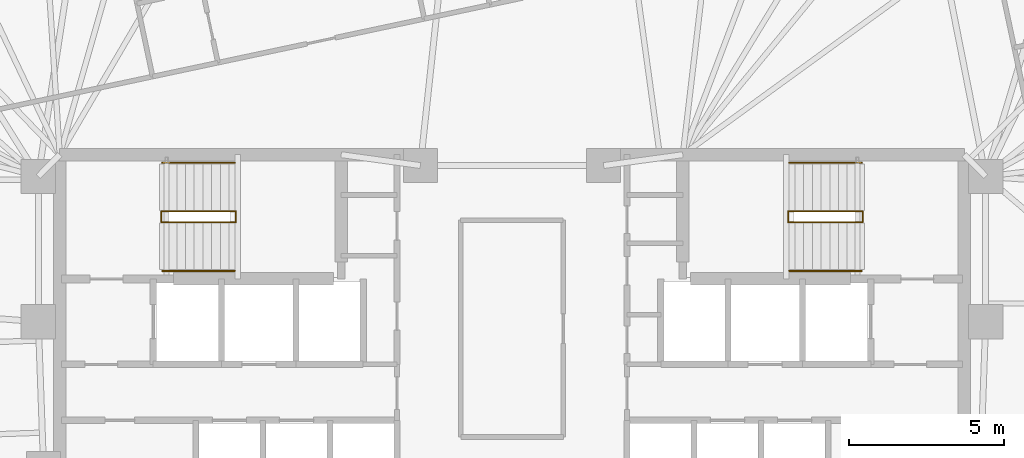
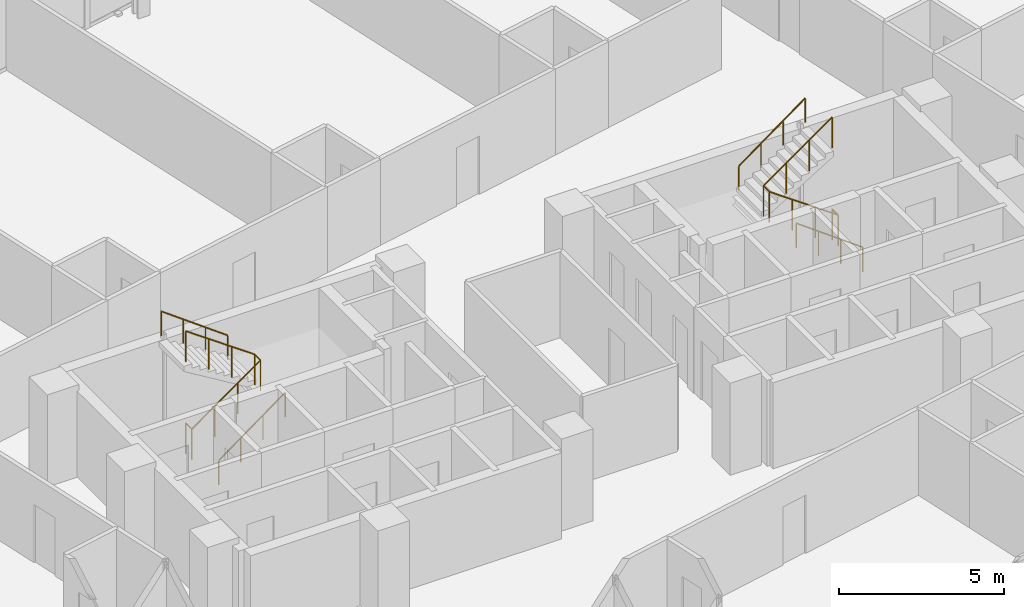
# One storey, part 19 of 19: 6 railings.
"""IFC4 building model written with IfcOpenShell, lengths in metres."""

from ifc_helpers import new_model, si_unit, direction, frame, origin, origin_2d, place, context, subcontext, project, spatial, circle, extrude, material, type_object, element, save


model = new_model("IFC4")

# Units and contexts
model_context = context("Model", 3, precision=1e-05, world=origin(), true_north=direction((0.0, 1.0)))
body_context = subcontext(model_context, "Body", "Model", "MODEL_VIEW")
ifc_project = project(units=[si_unit("LENGTHUNIT", "METRE"), si_unit("AREAUNIT", "SQUARE_METRE"), si_unit("VOLUMEUNIT", "CUBIC_METRE"), si_unit("PLANEANGLEUNIT", "RADIAN"), si_unit("MASSUNIT", "GRAM", prefix="KILO")], contexts=[model_context])

# Site, building, storey
site_placement = place(None, origin())
site = spatial("IfcSite", under=ifc_project, at=site_placement, CompositionType="ELEMENT")
building_placement = place(site_placement, origin())
building = spatial("IfcBuilding", under=site, at=building_placement, Name="Menara Jurai Vektor", CompositionType="ELEMENT")
storey_placement = place(building_placement, frame((0.0, 0.0, 161.60009765625)))
storey = spatial("IfcBuildingStorey", under=building, at=storey_placement, Name="L41", CompositionType="ELEMENT", Elevation=161.60009765625)

# Railings
ifc_material_1 = material(Name="Painted Galvanised Steel Balustrade", Category="steel")
railing_type_1 = type_object("IfcRailingType", Name="RAIL-STAIR-GUARD", PredefinedType="GUARDRAIL", material=ifc_material_1)
railing_1_placement = place(storey_placement, frame((-11.2900390625, 3.780029296875, 0.0)))
element("IfcRailing", 1, at=railing_1_placement, inside=storey, type_object=railing_type_1, Name="ST1 Stair Guardrail 1 L41", PredefinedType="GUARDRAIL", context=body_context, shape_type="SweptSolid", body=[
    extrude(circle(Radius=0.02392578125, at=origin_2d()), frame((0.0, 0.0, 1.1259765625), z_axis=(0.0, -1.0, 0.0), x_axis=(1.0, 0.0, 0.0)), (0.0, 0.0, 1.0), 0.360107421875),
    extrude(circle(Radius=0.02392578125, at=origin_2d()), frame((0.0, -0.360107421875, 1.1259765625), z_axis=(0.816048950856, 0.0, 0.577982793694), x_axis=(0.0, 1.0, 0.0)), (0.0, 0.0, 1.0), 2.941162109375),
    extrude(circle(Radius=0.02392578125, at=origin_2d()), frame((2.400146484375, -0.360107421875, 2.82568359375), z_axis=(0.0, 1.0, 0.0), x_axis=(-1.0, 0.0, 0.0)), (0.0, 0.0, 1.0), 0.360107421875),
    extrude(circle(Radius=0.02392578125, at=origin_2d()), frame((2.400146484375, 0.0, 2.82568359375), z_axis=(-0.816048950856, 0.0, 0.577982793694), x_axis=(0.0, -1.0, 0.0)), (0.0, 0.0, 1.0), 2.941162109375),
    extrude(circle(Radius=0.02099609375, at=origin_2d()), origin(), (0.0, 0.0, 1.0), 1.101806640625),
    extrude(circle(Radius=0.02099609375, at=origin_2d()), frame((0.0, -0.360107421875, 0.0)), (0.0, 0.0, 1.0), 1.101806640625),
    extrude(circle(Radius=0.02099609375, at=origin_2d()), frame((0.800048828125, -0.360107421875, 0.566650390625)), (0.0, 0.0, 1.0), 1.101806640625),
    extrude(circle(Radius=0.02099609375, at=origin_2d()), frame((1.60009765625, -0.360107421875, 1.13330078125)), (0.0, 0.0, 1.0), 1.101806640625),
    extrude(circle(Radius=0.02099609375, at=origin_2d()), frame((2.400146484375, -0.360107421875, 1.699951171875)), (0.0, 0.0, 1.0), 1.101806640625),
    extrude(circle(Radius=0.02099609375, at=origin_2d()), frame((2.400146484375, 0.0, 1.699951171875)), (0.0, 0.0, 1.0), 1.101806640625),
    extrude(circle(Radius=0.02099609375, at=origin_2d()), frame((1.60009765625, 0.0, 2.2666015625)), (0.0, 0.0, 1.0), 1.101806640625),
    extrude(circle(Radius=0.02099609375, at=origin_2d()), frame((0.800048828125, 0.0, 2.833251953125)), (0.0, 0.0, 1.0), 1.101806640625),
    extrude(circle(Radius=0.02099609375, at=origin_2d()), frame((0.0, 0.0, 3.39990234375)), (0.0, 0.0, 1.0), 1.101806640625),
])
railing_2_placement = place(storey_placement, frame((11.2900390625, 3.780029296875, 0.0)))
element("IfcRailing", 2, at=railing_2_placement, inside=storey, type_object=railing_type_1, Name="ST2 Stair Guardrail 1 L41", PredefinedType="GUARDRAIL", context=body_context, shape_type="SweptSolid", body=[
    extrude(circle(Radius=0.02392578125, at=origin_2d()), frame((0.0, 0.0, 1.1259765625), z_axis=(0.0, -1.0, 0.0), x_axis=(1.0, 0.0, 0.0)), (0.0, 0.0, 1.0), 0.360107421875),
    extrude(circle(Radius=0.02392578125, at=origin_2d()), frame((0.0, -0.360107421875, 1.1259765625), z_axis=(-0.816048950856, 0.0, 0.577982793694), x_axis=(0.0, -1.0, 0.0)), (0.0, 0.0, 1.0), 2.941162109375),
    extrude(circle(Radius=0.02392578125, at=origin_2d()), frame((-2.400146484375, -0.360107421875, 2.82568359375), z_axis=(0.0, 1.0, 0.0), x_axis=(-1.0, 0.0, 0.0)), (0.0, 0.0, 1.0), 0.360107421875),
    extrude(circle(Radius=0.02392578125, at=origin_2d()), frame((-2.400146484375, 0.0, 2.82568359375), z_axis=(0.816048950856, 0.0, 0.577982793694), x_axis=(0.0, 1.0, 0.0)), (0.0, 0.0, 1.0), 2.941162109375),
    extrude(circle(Radius=0.02099609375, at=origin_2d()), origin(), (0.0, 0.0, 1.0), 1.101806640625),
    extrude(circle(Radius=0.02099609375, at=origin_2d()), frame((0.0, -0.360107421875, 0.0)), (0.0, 0.0, 1.0), 1.101806640625),
    extrude(circle(Radius=0.02099609375, at=origin_2d()), frame((-0.800048828125, -0.360107421875, 0.566650390625)), (0.0, 0.0, 1.0), 1.101806640625),
    extrude(circle(Radius=0.02099609375, at=origin_2d()), frame((-1.60009765625, -0.360107421875, 1.13330078125)), (0.0, 0.0, 1.0), 1.101806640625),
    extrude(circle(Radius=0.02099609375, at=origin_2d()), frame((-2.400146484375, -0.360107421875, 1.699951171875)), (0.0, 0.0, 1.0), 1.101806640625),
    extrude(circle(Radius=0.02099609375, at=origin_2d()), frame((-2.400146484375, 0.0, 1.699951171875)), (0.0, 0.0, 1.0), 1.101806640625),
    extrude(circle(Radius=0.02099609375, at=origin_2d()), frame((-1.60009765625, 0.0, 2.2666015625)), (0.0, 0.0, 1.0), 1.101806640625),
    extrude(circle(Radius=0.02099609375, at=origin_2d()), frame((-0.800048828125, 0.0, 2.833251953125)), (0.0, 0.0, 1.0), 1.101806640625),
    extrude(circle(Radius=0.02099609375, at=origin_2d()), frame((0.0, 0.0, 3.39990234375)), (0.0, 0.0, 1.0), 1.101806640625),
])
ifc_material_2 = material(Name="Brushed Stainless Steel Handrail", Category="steel")
railing_type_2 = type_object("IfcRailingType", Name="RAIL-STAIR-HAND", PredefinedType="HANDRAIL", material=ifc_material_2)
railing_3_placement = place(storey_placement, frame((-11.25, 1.860107421875, 0.0)))
element("IfcRailing", 3, at=railing_3_placement, inside=storey, type_object=railing_type_2, Name="ST1 Stair Handrail 1 L41", PredefinedType="HANDRAIL", context=body_context, shape_type="SweptSolid", body=[
    extrude(circle(Radius=0.02392578125, at=origin_2d()), frame((0.0, 0.0, 0.89599609375), z_axis=(0.806642406755, 0.0, 0.591039785145), x_axis=(0.0, 1.0, 0.0)), (0.0, 0.0, 1.0), 2.876220703125),
    extrude(circle(Radius=0.02099609375, at=origin_2d()), origin(), (0.0, 0.0, 1.0), 0.871826171875),
    extrude(circle(Radius=0.02099609375, at=origin_2d()), frame((0.7734375, 0.0, 0.566650390625)), (0.0, 0.0, 1.0), 0.871826171875),
    extrude(circle(Radius=0.02099609375, at=origin_2d()), frame((1.546630859375, 0.0, 1.13330078125)), (0.0, 0.0, 1.0), 0.871826171875),
    extrude(circle(Radius=0.02099609375, at=origin_2d()), frame((2.320068359375, 0.0, 1.699951171875)), (0.0, 0.0, 1.0), 0.871826171875),
])
for number, where, name in (
    (4, (-8.929931640625, 5.340087890625, 1.699951171875), "ST1 Stair Handrail 2 L41"),
    (5, (11.25, 1.860107421875, 0.0), "ST2 Stair Handrail 1 L41"),
):
    element("IfcRailing", number, at=place(storey_placement, frame(where)), inside=storey, type_object=railing_type_2, Name=name, PredefinedType="HANDRAIL", context=body_context, shape_type="SweptSolid", body=[
        extrude(circle(Radius=0.02392578125, at=origin_2d()), frame((0.0, 0.0, 0.89599609375), z_axis=(-0.806642406755, 0.0, 0.591039785145), x_axis=(0.0, -1.0, 0.0)), (0.0, 0.0, 1.0), 2.876220703125),
        extrude(circle(Radius=0.02099609375, at=origin_2d()), origin(), (0.0, 0.0, 1.0), 0.871826171875),
        extrude(circle(Radius=0.02099609375, at=origin_2d()), frame((-0.7734375, 0.0, 0.566650390625)), (0.0, 0.0, 1.0), 0.871826171875),
        extrude(circle(Radius=0.02099609375, at=origin_2d()), frame((-1.546630859375, 0.0, 1.13330078125)), (0.0, 0.0, 1.0), 0.871826171875),
        extrude(circle(Radius=0.02099609375, at=origin_2d()), frame((-2.320068359375, 0.0, 1.699951171875)), (0.0, 0.0, 1.0), 0.871826171875),
    ])
railing_4_placement = place(storey_placement, frame((8.929931640625, 5.340087890625, 1.699951171875)))
element("IfcRailing", 6, at=railing_4_placement, inside=storey, type_object=railing_type_2, Name="ST2 Stair Handrail 2 L41", PredefinedType="HANDRAIL", context=body_context, shape_type="SweptSolid", body=[
    extrude(circle(Radius=0.02392578125, at=origin_2d()), frame((0.0, 0.0, 0.89599609375), z_axis=(0.806642406755, 0.0, 0.591039785145), x_axis=(0.0, 1.0, 0.0)), (0.0, 0.0, 1.0), 2.876220703125),
    extrude(circle(Radius=0.02099609375, at=origin_2d()), origin(), (0.0, 0.0, 1.0), 0.871826171875),
    extrude(circle(Radius=0.02099609375, at=origin_2d()), frame((0.7734375, 0.0, 0.566650390625)), (0.0, 0.0, 1.0), 0.871826171875),
    extrude(circle(Radius=0.02099609375, at=origin_2d()), frame((1.546630859375, 0.0, 1.13330078125)), (0.0, 0.0, 1.0), 0.871826171875),
    extrude(circle(Radius=0.02099609375, at=origin_2d()), frame((2.320068359375, 0.0, 1.699951171875)), (0.0, 0.0, 1.0), 0.871826171875),
])

save(model, "model.ifc")
